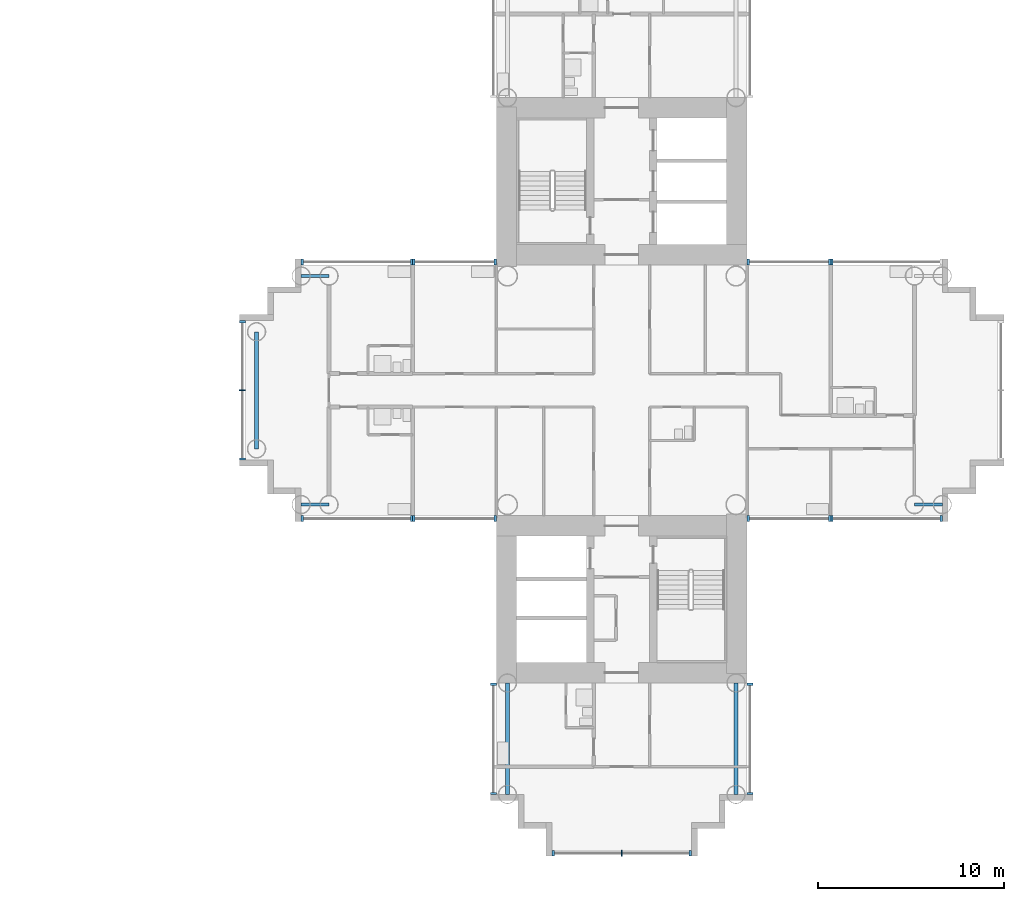
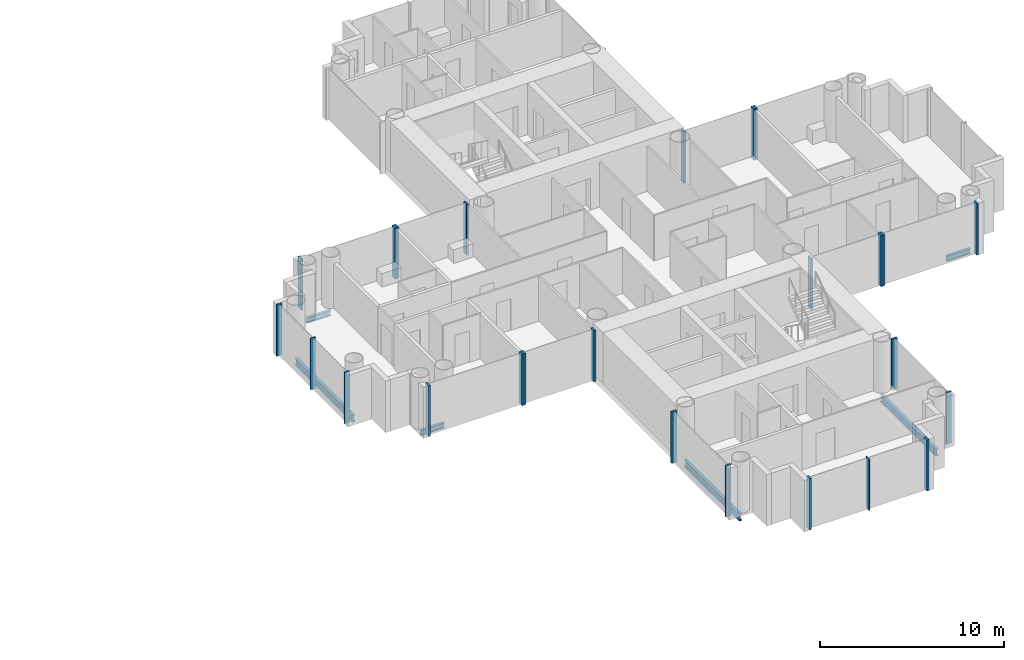
# One storey, part 5 of 21: 25 members, 6 beams, 12 elements without a shape of their own.
"""IFC4 building model written with IfcOpenShell, lengths in metres."""

from ifc_helpers import new_model, si_unit, direction, frame, origin, origin_2d, place, context, subcontext, project, spatial, rectangle, i_section, extrude, material, layer, layer_set, material_profile, profile_set, type_object, element, aggregate, save


model = new_model("IFC4")

# Units and contexts
model_context = context("Model", 3, precision=1e-05, world=origin(), true_north=direction((0.0, 1.0)))
body_context = subcontext(model_context, "Body", "Model", "MODEL_VIEW")
ifc_project = project(units=[si_unit("LENGTHUNIT", "METRE"), si_unit("AREAUNIT", "SQUARE_METRE"), si_unit("VOLUMEUNIT", "CUBIC_METRE"), si_unit("PLANEANGLEUNIT", "RADIAN"), si_unit("MASSUNIT", "GRAM", prefix="KILO")], contexts=[model_context])

# Site, building, storey
site_placement = place(None, origin())
site = spatial("IfcSite", under=ifc_project, at=site_placement, CompositionType="ELEMENT")
building_placement = place(site_placement, origin())
building = spatial("IfcBuilding", under=site, at=building_placement, Name="Ipe Terrace Towers", CompositionType="ELEMENT")
storey_placement = place(building_placement, frame((0.0, 0.0, 34.699951171875)))
storey = spatial("IfcBuildingStorey", under=building, at=storey_placement, Name="L08", CompositionType="ELEMENT", Elevation=34.699951171875)

# Beams
ifc_material_1 = material(Name="Steel S355", Category="steel")
ifc_material_profile_1 = material_profile(ifc_material_1, i_section(OverallWidth=0.175048828125, OverallDepth=0.35009765625, WebThickness=0.007080078125, FlangeThickness=0.010986328125, at=origin_2d()), Name="H-350x175x7x11")
ifc_profile_set_1 = profile_set([ifc_material_profile_1], Name="Steel S355")
beam_type_1 = type_object("IfcBeamType", Name="H04 EDGE BEAM H-350x175x7x11", PredefinedType="BEAM", material=ifc_profile_set_1)
for number, where, z_axis, x_axis, name in (
    (1, (20.25, 6.14990234375, -0.574951171875), (-1.0, 0.0, 0.0), (0.0, -1.0, 0.0), "Edge beam T2-EB-B03-B05"),
    (2, (20.25, -6.14990234375, -0.574951171875), (-1.0, 0.0, 0.0), (0.0, -1.0, 0.0), "Edge beam T2-EB-B04-B06"),
    (3, (51.75, -6.14990234375, -0.574951171875), (1.0, 0.0, 0.0), (0.0, 1.0, 0.0), "Edge beam T2-EB-D03-D05"),
):
    element("IfcBeam", number, at=place(storey_placement, frame(where, z_axis=z_axis, x_axis=x_axis)), inside=storey, type_object=beam_type_1, Name=name, PredefinedType="BEAM", context=body_context, shape_type="SweptSolid", body=[
        extrude(i_section(OverallWidth=0.175048828125, OverallDepth=0.35009765625, WebThickness=0.007080078125, FlangeThickness=0.010986328125, at=origin_2d()), origin(), (0.0, 0.0, 1.0), 1.5),
    ])
ifc_material_2 = material(Name="Steel S355", Category="steel")
ifc_material_profile_2 = material_profile(ifc_material_2, i_section(OverallWidth=0.199951171875, OverallDepth=0.449951171875, WebThickness=0.009033203125, FlangeThickness=0.013916015625, at=origin_2d()), Name="H-450x200x9x14")
ifc_profile_set_2 = profile_set([ifc_material_profile_2], Name="Steel S355")
beam_type_2 = type_object("IfcBeamType", Name="H08 EDGE BEAM H-450x200x9x14", PredefinedType="BEAM", material=ifc_profile_set_2)
beam_placement = place(storey_placement, frame((16.35009765625, 3.14990234375, -0.625), z_axis=(0.0, -1.0, 0.0), x_axis=(1.0, 0.0, 0.0)))
element("IfcBeam", 4, at=beam_placement, inside=storey, type_object=beam_type_2, Name="Edge beam T2-EB-B07-B08", PredefinedType="BEAM", context=body_context, shape_type="SweptSolid", body=[
    extrude(i_section(OverallWidth=0.199951171875, OverallDepth=0.449951171875, WebThickness=0.009033203125, FlangeThickness=0.013916015625, at=origin_2d()), origin(), (0.0, 0.0, 1.0), 6.2998046875),
])
for number, where, z_axis, x_axis, name in (
    (5, (42.14990234375, -15.75, -0.625), (0.0, -1.0, 0.0), (1.0, 0.0, 0.0), "Edge beam T2-EB-C01-C03"),
    (6, (29.85009765625, -15.75, -0.625), (0.0, -1.0, 0.0), (1.0, 0.0, 0.0), "Edge beam T2-EB-C02-C04"),
):
    element("IfcBeam", number, at=place(storey_placement, frame(where, z_axis=z_axis, x_axis=x_axis)), inside=storey, type_object=beam_type_2, Name=name, PredefinedType="BEAM", context=body_context, shape_type="SweptSolid", body=[
        extrude(i_section(OverallWidth=0.199951171875, OverallDepth=0.449951171875, WebThickness=0.009033203125, FlangeThickness=0.013916015625, at=origin_2d()), origin(), (0.0, 0.0, 1.0), 6.0),
    ])

# Curtain wall, members
ifc_material_3 = material(Name="Aluminium alloy 6063-T6", Category="aluminium")
ifc_layer = layer(ifc_material_3, 0.320068359375)
ifc_layer_set = layer_set([ifc_layer], Name="TOWER UNITISED CURTAIN WALL")
curtain_wall_type = type_object("IfcCurtainWallType", Name="TOWER UNITISED CURTAIN WALL", PredefinedType="NOTDEFINED", material=ifc_layer_set)
curtain_wall_1_placement = place(storey_placement, origin())
curtain_wall_1 = element("IfcCurtainWall", 7, at=curtain_wall_1_placement, inside=storey, type_object=curtain_wall_type, Name="T2-CW-L08-04a curtain wall", PredefinedType="NOTDEFINED")
ifc_material_4 = material(Name="Aluminium alloy 6063-T6", Category="aluminium")
ifc_material_profile_3 = material_profile(ifc_material_4, rectangle(XDim=0.320068359375, YDim=0.1201171875, at=origin_2d()), Name="TOWER UNITISED CORNER MULLION 320 x 120")
ifc_profile_set_3 = profile_set([ifc_material_profile_3], Name="Aluminium alloy 6063-T6")
member_type_1 = type_object("IfcMemberType", Name="TOWER UNITISED CORNER MULLION 320 x 120", PredefinedType="MULLION", material=ifc_profile_set_3)
member_1_placement = place(storey_placement, frame((42.909912109375, -21.68994140625, -0.300048828125), z_axis=(0.0, 0.0, 1.0), x_axis=(1.0, 0.0, 0.0)))
member_1 = element("IfcMember", 8, at=member_1_placement, type_object=member_type_1, Name="T2-CW-L08-04a mullion 1", PredefinedType="MULLION", context=body_context, shape_type="SweptSolid", body=[
    extrude(rectangle(XDim=0.320068359375, YDim=0.1201171875, at=origin_2d()), origin(), (0.0, 0.0, 1.0), 3.400146484375),
])
member_2_placement = place(storey_placement, frame((42.909912109375, -15.81103515625, -0.300048828125), z_axis=(0.0, 0.0, 1.0), x_axis=(1.0, 0.0, 0.0)))
member_2 = element("IfcMember", 9, at=member_2_placement, type_object=member_type_1, Name="T2-CW-L08-04a mullion 2", PredefinedType="MULLION", context=body_context, shape_type="SweptSolid", body=[
    extrude(rectangle(XDim=0.320068359375, YDim=0.1201171875, at=origin_2d()), origin(), (0.0, 0.0, 1.0), 3.400146484375),
])
aggregate(curtain_wall_1, [member_1, member_2])

curtain_wall_2_placement = place(storey_placement, origin())
curtain_wall_2 = element("IfcCurtainWall", 10, at=curtain_wall_2_placement, inside=storey, type_object=curtain_wall_type, Name="T2-CW-L08-06a curtain wall", PredefinedType="NOTDEFINED")
member_3_placement = place(storey_placement, frame((42.81005859375, -6.909912109375, -0.300048828125), z_axis=(0.0, 0.0, 1.0), x_axis=(0.0, -1.0, 0.0)))
member_3 = element("IfcMember", 11, at=member_3_placement, type_object=member_type_1, Name="T2-CW-L08-06a mullion 1", PredefinedType="MULLION", context=body_context, shape_type="SweptSolid", body=[
    extrude(rectangle(XDim=0.320068359375, YDim=0.1201171875, at=origin_2d()), origin(), (0.0, 0.0, 1.0), 3.400146484375),
])
member_4_placement = place(storey_placement, frame((47.18994140625, -6.909912109375, -0.300048828125), z_axis=(0.0, 0.0, 1.0), x_axis=(0.0, -1.0, 0.0)))
member_4 = element("IfcMember", 12, at=member_4_placement, type_object=member_type_1, Name="T2-CW-L08-06a mullion 2", PredefinedType="MULLION", context=body_context, shape_type="SweptSolid", body=[
    extrude(rectangle(XDim=0.320068359375, YDim=0.1201171875, at=origin_2d()), origin(), (0.0, 0.0, 1.0), 3.400146484375),
])
aggregate(curtain_wall_2, [member_3, member_4])

curtain_wall_3_placement = place(storey_placement, origin())
curtain_wall_3 = element("IfcCurtainWall", 13, at=curtain_wall_3_placement, inside=storey, type_object=curtain_wall_type, Name="T2-CW-L08-07a curtain wall", PredefinedType="NOTDEFINED")
member_5_placement = place(storey_placement, frame((47.31005859375, -6.909912109375, -0.300048828125), z_axis=(0.0, 0.0, 1.0), x_axis=(0.0, -1.0, 0.0)))
member_5 = element("IfcMember", 14, at=member_5_placement, type_object=member_type_1, Name="T2-CW-L08-07a mullion 1", PredefinedType="MULLION", context=body_context, shape_type="SweptSolid", body=[
    extrude(rectangle(XDim=0.320068359375, YDim=0.1201171875, at=origin_2d()), origin(), (0.0, 0.0, 1.0), 3.400146484375),
])
member_6_placement = place(storey_placement, frame((53.18994140625, -6.909912109375, -0.300048828125), z_axis=(0.0, 0.0, 1.0), x_axis=(0.0, -1.0, 0.0)))
member_6 = element("IfcMember", 15, at=member_6_placement, type_object=member_type_1, Name="T2-CW-L08-07a mullion 2", PredefinedType="MULLION", context=body_context, shape_type="SweptSolid", body=[
    extrude(rectangle(XDim=0.320068359375, YDim=0.1201171875, at=origin_2d()), origin(), (0.0, 0.0, 1.0), 3.400146484375),
])
aggregate(curtain_wall_3, [member_5, member_6])

# Curtain wall, member
curtain_wall_4_placement = place(storey_placement, origin())
curtain_wall_4 = element("IfcCurtainWall", 16, at=curtain_wall_4_placement, inside=storey, type_object=curtain_wall_type, Name="T2-CW-L08-17a curtain wall", PredefinedType="NOTDEFINED")
member_7_placement = place(storey_placement, frame((47.31005859375, 6.909912109375, -0.300048828125), z_axis=(0.0, 0.0, 1.0), x_axis=(0.0, 1.0, 0.0)))
member_7 = element("IfcMember", 17, at=member_7_placement, type_object=member_type_1, Name="T2-CW-L08-17a mullion 2", PredefinedType="MULLION", context=body_context, shape_type="SweptSolid", body=[
    extrude(rectangle(XDim=0.320068359375, YDim=0.1201171875, at=origin_2d()), origin(), (0.0, 0.0, 1.0), 3.400146484375),
])
aggregate(curtain_wall_4, [member_7])

# Curtain wall, members
curtain_wall_5_placement = place(storey_placement, origin())
curtain_wall_5 = element("IfcCurtainWall", 18, at=curtain_wall_5_placement, inside=storey, type_object=curtain_wall_type, Name="T2-CW-L08-18a curtain wall", PredefinedType="NOTDEFINED")
member_8_placement = place(storey_placement, frame((47.18994140625, 6.909912109375, -0.300048828125), z_axis=(0.0, 0.0, 1.0), x_axis=(0.0, 1.0, 0.0)))
member_8 = element("IfcMember", 19, at=member_8_placement, type_object=member_type_1, Name="T2-CW-L08-18a mullion 1", PredefinedType="MULLION", context=body_context, shape_type="SweptSolid", body=[
    extrude(rectangle(XDim=0.320068359375, YDim=0.1201171875, at=origin_2d()), origin(), (0.0, 0.0, 1.0), 3.400146484375),
])
member_9_placement = place(storey_placement, frame((42.81005859375, 6.909912109375, -0.300048828125), z_axis=(0.0, 0.0, 1.0), x_axis=(0.0, 1.0, 0.0)))
member_9 = element("IfcMember", 20, at=member_9_placement, type_object=member_type_1, Name="T2-CW-L08-18a mullion 2", PredefinedType="MULLION", context=body_context, shape_type="SweptSolid", body=[
    extrude(rectangle(XDim=0.320068359375, YDim=0.1201171875, at=origin_2d()), origin(), (0.0, 0.0, 1.0), 3.400146484375),
])
aggregate(curtain_wall_5, [member_8, member_9])

curtain_wall_6_placement = place(storey_placement, origin())
curtain_wall_6 = element("IfcCurtainWall", 21, at=curtain_wall_6_placement, inside=storey, type_object=curtain_wall_type, Name="T2-CW-L08-32a curtain wall", PredefinedType="NOTDEFINED")
member_10_placement = place(storey_placement, frame((29.18994140625, 6.909912109375, -0.300048828125), z_axis=(0.0, 0.0, 1.0), x_axis=(0.0, 1.0, 0.0)))
member_10 = element("IfcMember", 22, at=member_10_placement, type_object=member_type_1, Name="T2-CW-L08-32a mullion 1", PredefinedType="MULLION", context=body_context, shape_type="SweptSolid", body=[
    extrude(rectangle(XDim=0.320068359375, YDim=0.1201171875, at=origin_2d()), origin(), (0.0, 0.0, 1.0), 3.400146484375),
])
member_11_placement = place(storey_placement, frame((24.81005859375, 6.909912109375, -0.300048828125), z_axis=(0.0, 0.0, 1.0), x_axis=(0.0, 1.0, 0.0)))
member_11 = element("IfcMember", 23, at=member_11_placement, type_object=member_type_1, Name="T2-CW-L08-32a mullion 2", PredefinedType="MULLION", context=body_context, shape_type="SweptSolid", body=[
    extrude(rectangle(XDim=0.320068359375, YDim=0.1201171875, at=origin_2d()), origin(), (0.0, 0.0, 1.0), 3.400146484375),
])
aggregate(curtain_wall_6, [member_10, member_11])

curtain_wall_7_placement = place(storey_placement, origin())
curtain_wall_7 = element("IfcCurtainWall", 24, at=curtain_wall_7_placement, inside=storey, type_object=curtain_wall_type, Name="T2-CW-L08-33a curtain wall", PredefinedType="NOTDEFINED")
member_12_placement = place(storey_placement, frame((24.68994140625, 6.909912109375, -0.300048828125), z_axis=(0.0, 0.0, 1.0), x_axis=(0.0, 1.0, 0.0)))
member_12 = element("IfcMember", 25, at=member_12_placement, type_object=member_type_1, Name="T2-CW-L08-33a mullion 1", PredefinedType="MULLION", context=body_context, shape_type="SweptSolid", body=[
    extrude(rectangle(XDim=0.320068359375, YDim=0.1201171875, at=origin_2d()), origin(), (0.0, 0.0, 1.0), 3.400146484375),
])
member_13_placement = place(storey_placement, frame((18.81005859375, 6.909912109375, -0.300048828125), z_axis=(0.0, 0.0, 1.0), x_axis=(0.0, 1.0, 0.0)))
member_13 = element("IfcMember", 26, at=member_13_placement, type_object=member_type_1, Name="T2-CW-L08-33a mullion 2", PredefinedType="MULLION", context=body_context, shape_type="SweptSolid", body=[
    extrude(rectangle(XDim=0.320068359375, YDim=0.1201171875, at=origin_2d()), origin(), (0.0, 0.0, 1.0), 3.400146484375),
])
aggregate(curtain_wall_7, [member_12, member_13])

curtain_wall_8_placement = place(storey_placement, origin())
curtain_wall_8 = element("IfcCurtainWall", 27, at=curtain_wall_8_placement, inside=storey, type_object=curtain_wall_type, Name="T2-CW-L08-38a curtain wall", PredefinedType="NOTDEFINED")
member_14_placement = place(storey_placement, frame((15.590087890625, 3.68994140625, -0.300048828125), z_axis=(0.0, 0.0, 1.0), x_axis=(-1.0, 0.0, 0.0)))
member_14 = element("IfcMember", 28, at=member_14_placement, type_object=member_type_1, Name="T2-CW-L08-38a mullion 1", PredefinedType="MULLION", context=body_context, shape_type="SweptSolid", body=[
    extrude(rectangle(XDim=0.320068359375, YDim=0.1201171875, at=origin_2d()), origin(), (0.0, 0.0, 1.0), 3.400146484375),
])
member_15_placement = place(storey_placement, frame((15.590087890625, -3.68994140625, -0.300048828125), z_axis=(0.0, 0.0, 1.0), x_axis=(-1.0, 0.0, 0.0)))
member_15 = element("IfcMember", 29, at=member_15_placement, type_object=member_type_1, Name="T2-CW-L08-38a mullion 3", PredefinedType="MULLION", context=body_context, shape_type="SweptSolid", body=[
    extrude(rectangle(XDim=0.320068359375, YDim=0.1201171875, at=origin_2d()), origin(), (0.0, 0.0, 1.0), 3.400146484375),
])

curtain_wall_9_placement = place(storey_placement, origin())
curtain_wall_9 = element("IfcCurtainWall", 30, at=curtain_wall_9_placement, inside=storey, type_object=curtain_wall_type, Name="T2-CW-L08-43a curtain wall", PredefinedType="NOTDEFINED")
member_16_placement = place(storey_placement, frame((18.81005859375, -6.909912109375, -0.300048828125), z_axis=(0.0, 0.0, 1.0), x_axis=(0.0, -1.0, 0.0)))
member_16 = element("IfcMember", 31, at=member_16_placement, type_object=member_type_1, Name="T2-CW-L08-43a mullion 1", PredefinedType="MULLION", context=body_context, shape_type="SweptSolid", body=[
    extrude(rectangle(XDim=0.320068359375, YDim=0.1201171875, at=origin_2d()), origin(), (0.0, 0.0, 1.0), 3.400146484375),
])
member_17_placement = place(storey_placement, frame((24.68994140625, -6.909912109375, -0.300048828125), z_axis=(0.0, 0.0, 1.0), x_axis=(0.0, -1.0, 0.0)))
member_17 = element("IfcMember", 32, at=member_17_placement, type_object=member_type_1, Name="T2-CW-L08-43a mullion 2", PredefinedType="MULLION", context=body_context, shape_type="SweptSolid", body=[
    extrude(rectangle(XDim=0.320068359375, YDim=0.1201171875, at=origin_2d()), origin(), (0.0, 0.0, 1.0), 3.400146484375),
])
aggregate(curtain_wall_9, [member_16, member_17])

curtain_wall_10_placement = place(storey_placement, origin())
curtain_wall_10 = element("IfcCurtainWall", 33, at=curtain_wall_10_placement, inside=storey, type_object=curtain_wall_type, Name="T2-CW-L08-44a curtain wall", PredefinedType="NOTDEFINED")
member_18_placement = place(storey_placement, frame((24.81005859375, -6.909912109375, -0.300048828125), z_axis=(0.0, 0.0, 1.0), x_axis=(0.0, -1.0, 0.0)))
member_18 = element("IfcMember", 34, at=member_18_placement, type_object=member_type_1, Name="T2-CW-L08-44a mullion 1", PredefinedType="MULLION", context=body_context, shape_type="SweptSolid", body=[
    extrude(rectangle(XDim=0.320068359375, YDim=0.1201171875, at=origin_2d()), origin(), (0.0, 0.0, 1.0), 3.400146484375),
])
member_19_placement = place(storey_placement, frame((29.18994140625, -6.909912109375, -0.300048828125), z_axis=(0.0, 0.0, 1.0), x_axis=(0.0, -1.0, 0.0)))
member_19 = element("IfcMember", 35, at=member_19_placement, type_object=member_type_1, Name="T2-CW-L08-44a mullion 2", PredefinedType="MULLION", context=body_context, shape_type="SweptSolid", body=[
    extrude(rectangle(XDim=0.320068359375, YDim=0.1201171875, at=origin_2d()), origin(), (0.0, 0.0, 1.0), 3.400146484375),
])
aggregate(curtain_wall_10, [member_18, member_19])

curtain_wall_11_placement = place(storey_placement, origin())
curtain_wall_11 = element("IfcCurtainWall", 36, at=curtain_wall_11_placement, inside=storey, type_object=curtain_wall_type, Name="T2-CW-L08-46b curtain wall", PredefinedType="NOTDEFINED")
member_20_placement = place(storey_placement, frame((29.090087890625, -15.81103515625, -0.300048828125), z_axis=(0.0, 0.0, 1.0), x_axis=(-1.0, 0.0, 0.0)))
member_20 = element("IfcMember", 37, at=member_20_placement, type_object=member_type_1, Name="T2-CW-L08-46b mullion 1", PredefinedType="MULLION", context=body_context, shape_type="SweptSolid", body=[
    extrude(rectangle(XDim=0.320068359375, YDim=0.1201171875, at=origin_2d()), origin(), (0.0, 0.0, 1.0), 3.400146484375),
])
member_21_placement = place(storey_placement, frame((29.090087890625, -21.68994140625, -0.300048828125), z_axis=(0.0, 0.0, 1.0), x_axis=(-1.0, 0.0, 0.0)))
member_21 = element("IfcMember", 38, at=member_21_placement, type_object=member_type_1, Name="T2-CW-L08-46b mullion 2", PredefinedType="MULLION", context=body_context, shape_type="SweptSolid", body=[
    extrude(rectangle(XDim=0.320068359375, YDim=0.1201171875, at=origin_2d()), origin(), (0.0, 0.0, 1.0), 3.400146484375),
])
aggregate(curtain_wall_11, [member_20, member_21])

curtain_wall_12_placement = place(storey_placement, origin())
curtain_wall_12 = element("IfcCurtainWall", 39, at=curtain_wall_12_placement, inside=storey, type_object=curtain_wall_type, Name="T2-CW-L08-51a curtain wall", PredefinedType="NOTDEFINED")
member_22_placement = place(storey_placement, frame((32.31005859375, -24.909912109375, -0.300048828125), z_axis=(0.0, 0.0, 1.0), x_axis=(0.0, -1.0, 0.0)))
member_22 = element("IfcMember", 40, at=member_22_placement, type_object=member_type_1, Name="T2-CW-L08-51a mullion 1", PredefinedType="MULLION", context=body_context, shape_type="SweptSolid", body=[
    extrude(rectangle(XDim=0.320068359375, YDim=0.1201171875, at=origin_2d()), origin(), (0.0, 0.0, 1.0), 3.400146484375),
])
member_23_placement = place(storey_placement, frame((39.68994140625, -24.909912109375, -0.300048828125), z_axis=(0.0, 0.0, 1.0), x_axis=(0.0, -1.0, 0.0)))
member_23 = element("IfcMember", 41, at=member_23_placement, type_object=member_type_1, Name="T2-CW-L08-51a mullion 3", PredefinedType="MULLION", context=body_context, shape_type="SweptSolid", body=[
    extrude(rectangle(XDim=0.320068359375, YDim=0.1201171875, at=origin_2d()), origin(), (0.0, 0.0, 1.0), 3.400146484375),
])

# Member
ifc_material_5 = material(Name="Aluminium alloy 6063-T6", Category="aluminium")
ifc_material_profile_4 = material_profile(ifc_material_5, rectangle(XDim=0.320068359375, YDim=0.06494140625, at=origin_2d()), Name="TOWER UNITISED MULLION 320 x 65")
ifc_profile_set_4 = profile_set([ifc_material_profile_4], Name="Aluminium alloy 6063-T6")
member_type_2 = type_object("IfcMemberType", Name="TOWER UNITISED MULLION 320 x 65", PredefinedType="MULLION", material=ifc_profile_set_4)
member_24_placement = place(storey_placement, frame((15.590087890625, 0.0, -0.300048828125), z_axis=(0.0, 0.0, 1.0), x_axis=(-1.0, 0.0, 0.0)))
member_24 = element("IfcMember", 42, at=member_24_placement, type_object=member_type_2, Name="T2-CW-L08-38a mullion 2", PredefinedType="MULLION", context=body_context, shape_type="SweptSolid", body=[
    extrude(rectangle(XDim=0.320068359375, YDim=0.06494140625, at=origin_2d()), origin(), (0.0, 0.0, 1.0), 3.400146484375),
])

aggregate(curtain_wall_8, [member_14, member_24, member_15])

member_25_placement = place(storey_placement, frame((36.0, -24.909912109375, -0.300048828125), z_axis=(0.0, 0.0, 1.0), x_axis=(0.0, -1.0, 0.0)))
member_25 = element("IfcMember", 43, at=member_25_placement, type_object=member_type_2, Name="T2-CW-L08-51a mullion 2", PredefinedType="MULLION", context=body_context, shape_type="SweptSolid", body=[
    extrude(rectangle(XDim=0.320068359375, YDim=0.06494140625, at=origin_2d()), origin(), (0.0, 0.0, 1.0), 3.400146484375),
])

aggregate(curtain_wall_12, [member_22, member_25, member_23])

save(model, "model.ifc")
